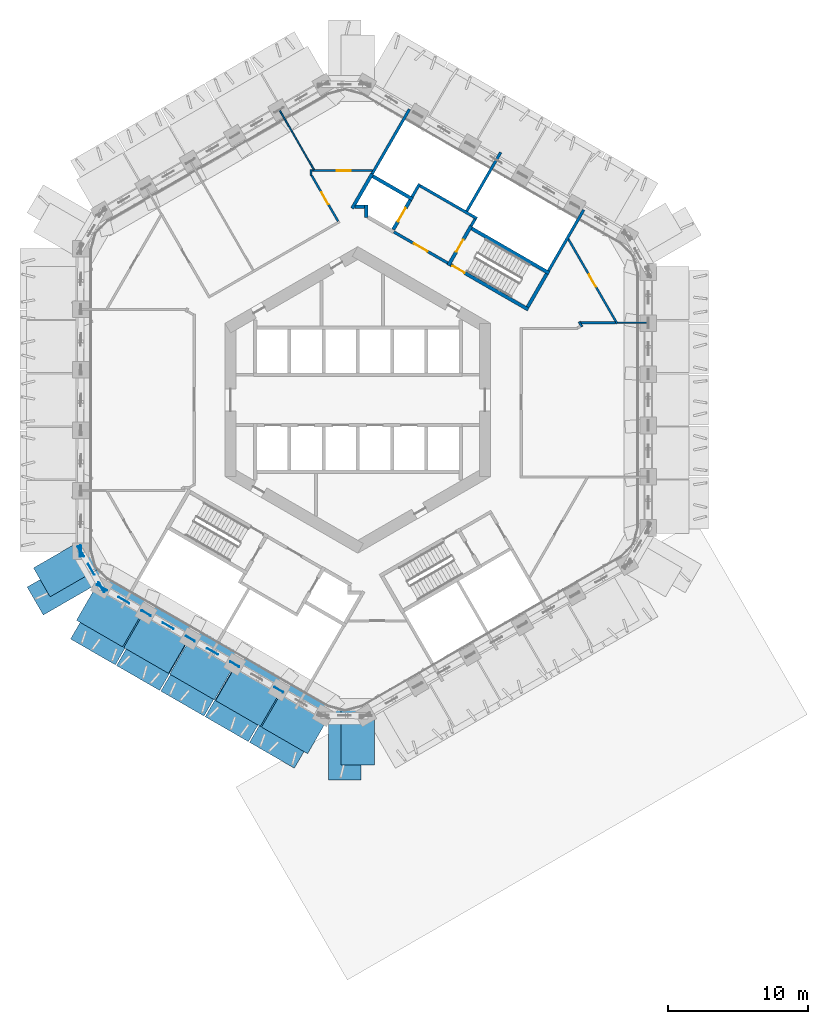
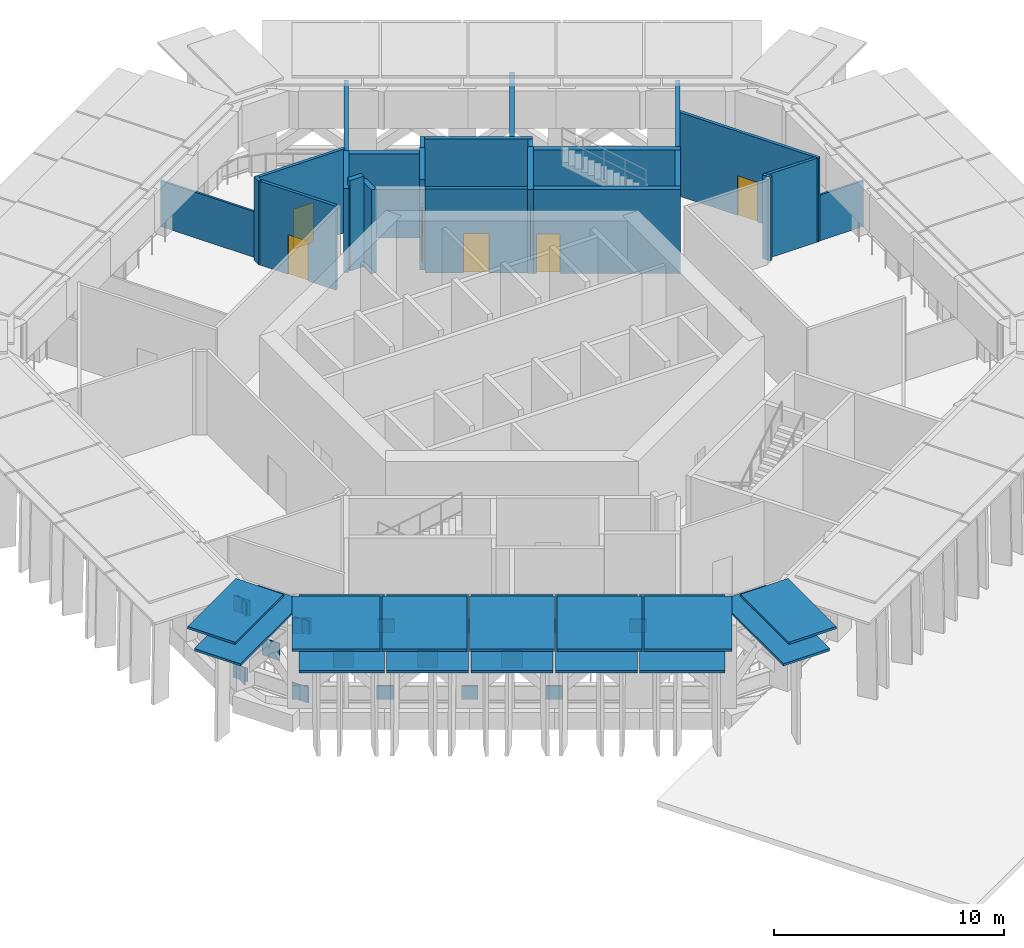
# One storey, part 8 of 16: 33 discrete accessories, 24 walls, 7 doors, 7 openings.
"""IFC4 building model written with IfcOpenShell, lengths in metres."""

from ifc_helpers import new_model, si_unit, direction, frame, frame_2d, origin, origin_2d, place, context, subcontext, project, spatial, rectangle, extrude, material, layer, layer_set, type_object, element, fill, save


model = new_model("IFC4")

# Units and contexts
model_context = context("Model", 3, precision=1e-05, world=origin(), true_north=direction((0.0, 1.0)))
body_context = subcontext(model_context, "Body", "Model", "MODEL_VIEW")
ifc_project = project(units=[si_unit("LENGTHUNIT", "METRE"), si_unit("AREAUNIT", "SQUARE_METRE"), si_unit("VOLUMEUNIT", "CUBIC_METRE"), si_unit("PLANEANGLEUNIT", "RADIAN"), si_unit("MASSUNIT", "GRAM", prefix="KILO")], contexts=[model_context])

# Site, building, storey
site_placement = place(None, origin())
site = spatial("IfcSite", under=ifc_project, at=site_placement, CompositionType="ELEMENT")
building_placement = place(site_placement, origin())
building = spatial("IfcBuilding", under=site, at=building_placement, Name="Ayvan Gate Tower", CompositionType="ELEMENT")
storey_placement = place(building_placement, frame((0.0, 0.0, 78.300048828125)))
storey = spatial("IfcBuildingStorey", under=building, at=storey_placement, Name="L20", CompositionType="ELEMENT", Elevation=78.300048828125)

# Wall
ifc_material_1 = material(Name="Plasterboard on steel stud", Category="steel")
ifc_layer_1 = layer(ifc_material_1, 0.14990234375)
ifc_layer_set_1 = layer_set([ifc_layer_1], Name="Plasterboard on steel stud")
wall_type_1 = type_object("IfcWallType", Name="WT-CORR-150", PredefinedType="PARTITIONING", material=ifc_layer_set_1)
wall_1_placement = place(storey_placement, frame((-3.35009765625, 16.072021484375, 0.0), z_axis=(0.0, 0.0, 1.0), x_axis=(0.0, 1.0, 0.0)))
element("IfcWall", 1, at=wall_1_placement, inside=storey, type_object=wall_type_1, Name="IW-L20-037", PredefinedType="PARTITIONING", context=body_context, shape_type="SweptSolid", body=[
    extrude(rectangle(XDim=0.40771484375, YDim=0.14990234375, at=frame_2d((0.203857421875, 0.0))), origin(), (0.0, 0.0, 1.0), 4.449951171875),
])

# Wall, opening, door
wall_2_placement = place(storey_placement, frame((-3.27490234375, 16.40478515625, 0.0), z_axis=(0.0, 0.0, 1.0), x_axis=(1.0, 0.0, 0.0)))
wall_2 = element("IfcWall", 2, at=wall_2_placement, inside=storey, type_object=wall_type_1, Name="IW-L20-038", PredefinedType="PARTITIONING", context=body_context, shape_type="SweptSolid", body=[
    extrude(rectangle(XDim=4.33251953125, YDim=0.14990234375, at=frame_2d((2.166259765625, 0.0))), origin(), (0.0, 0.0, 1.0), 4.449951171875),
])
opening_1_placement = place(wall_2_placement, frame((1.771240234375, 0.0, 0.0)))
opening_1 = element("IfcOpeningElement", 3, at=opening_1_placement, cuts=wall_2, Name="Opening L20-D21", PredefinedType="OPENING", context=body_context, shape_type="SweptSolid", body=[
    extrude(rectangle(XDim=1.0, YDim=2.10009765625, at=frame_2d((0.5, 1.050048828125))), frame((0.0, 0.0849609375, 0.0), z_axis=(0.0, -1.0, 0.0), x_axis=(1.0, 0.0, 0.0)), (0.0, 0.0, 1.0), 0.169921875),
])
ifc_material_2 = material(Name="Timber door leaf", Category="wood")
door_type_1 = type_object("IfcDoorType", Name="DT-1000", OperationType="NOTDEFINED", PredefinedType="DOOR", material=ifc_material_2)
door_1_placement = place(opening_1_placement, origin())
door_1 = element("IfcDoor", 4, at=door_1_placement, inside=storey, type_object=door_type_1, Name="ID-L20-021", OperationType="SINGLE_SWING_LEFT", OverallHeight=2.10009765625, OverallWidth=1.0, PredefinedType="DOOR", context=body_context, shape_type="SweptSolid", body=[
    extrude(rectangle(XDim=1.0, YDim=2.10009765625, at=frame_2d((0.5, 1.050048828125))), frame((0.0, 0.02490234375, 0.0), z_axis=(0.0, -1.0, 0.0), x_axis=(1.0, 0.0, 0.0)), (0.0, 0.0, 1.0), 0.050048828125),
])
fill(opening_1, door_1)

wall_3_placement = place(storey_placement, frame((-1.408203125, 12.78369140625, 0.0), z_axis=(0.0, 0.0, 1.0), x_axis=(-0.500027655771, 0.866009436129, 0.0)))
wall_3 = element("IfcWall", 5, at=wall_3_placement, inside=storey, type_object=wall_type_1, Name="IW-L20-046", PredefinedType="PARTITIONING", context=body_context, shape_type="SweptSolid", body=[
    extrude(rectangle(XDim=3.808349609375, YDim=0.14990234375, at=frame_2d((1.904296875, 0.0))), origin(), (0.0, 0.0, 1.0), 4.449951171875),
])
opening_2_placement = place(wall_3_placement, frame((1.404296875, 0.0, 0.0)))
opening_2 = element("IfcOpeningElement", 6, at=opening_2_placement, cuts=wall_3, Name="Opening L20-D25", PredefinedType="OPENING", context=body_context, shape_type="SweptSolid", body=[
    extrude(rectangle(XDim=1.0, YDim=2.10009765625, at=frame_2d((0.5, 1.050048828125))), frame((0.0, 0.0849609375, 0.0), z_axis=(0.0, -1.0, 0.0), x_axis=(1.0, 0.0, 0.0)), (0.0, 0.0, 1.0), 0.169921875),
])
door_2_placement = place(opening_2_placement, origin())
door_2 = element("IfcDoor", 7, at=door_2_placement, inside=storey, type_object=door_type_1, Name="ID-L20-025", OperationType="SINGLE_SWING_LEFT", OverallHeight=2.10009765625, OverallWidth=1.0, PredefinedType="DOOR", context=body_context, shape_type="SweptSolid", body=[
    extrude(rectangle(XDim=1.0, YDim=2.10009765625, at=frame_2d((0.5, 1.050048828125))), frame((0.0, 0.02490234375, 0.0), z_axis=(0.0, -1.0, 0.0), x_axis=(1.0, 0.0, 0.0)), (0.0, 0.0, 1.0), 0.050048828125),
])
fill(opening_2, door_2)

wall_4_placement = place(storey_placement, frame((15.063232421875, 11.51708984375, 0.0), z_axis=(0.0, 0.0, 1.0), x_axis=(0.500015411963, -0.866016505501, 0.0)))
wall_4 = element("IfcWall", 8, at=wall_4_placement, inside=storey, type_object=wall_type_1, Name="IW-L20-092", PredefinedType="PARTITIONING", context=body_context, shape_type="SweptSolid", body=[
    extrude(rectangle(XDim=6.997314453125, YDim=0.14990234375, at=frame_2d((3.49853515625, 0.0))), origin(), (0.0, 0.0, 1.0), 4.449951171875),
])
opening_3_placement = place(wall_4_placement, frame((2.94384765625, 0.0, 0.0)))
opening_3 = element("IfcOpeningElement", 9, at=opening_3_placement, cuts=wall_4, Name="Opening L20-D20", PredefinedType="OPENING", context=body_context, shape_type="SweptSolid", body=[
    extrude(rectangle(XDim=1.0, YDim=2.10009765625, at=frame_2d((0.5, 1.050048828125))), frame((0.0, 0.0849609375, 0.0), z_axis=(0.0, -1.0, 0.0), x_axis=(1.0, 0.0, 0.0)), (0.0, 0.0, 1.0), 0.169921875),
])
door_3_placement = place(opening_3_placement, origin())
door_3 = element("IfcDoor", 10, at=door_3_placement, inside=storey, type_object=door_type_1, Name="ID-L20-020", OperationType="SINGLE_SWING_RIGHT", OverallHeight=2.10009765625, OverallWidth=1.0, PredefinedType="DOOR", context=body_context, shape_type="SweptSolid", body=[
    extrude(rectangle(XDim=1.0, YDim=2.10009765625, at=frame_2d((0.5, 1.050048828125))), frame((0.0, 0.02490234375, 0.0), z_axis=(0.0, -1.0, 0.0), x_axis=(1.0, 0.0, 0.0)), (0.0, 0.0, 1.0), 0.050048828125),
])
fill(opening_3, door_3)

# Walls
wall_5_placement = place(storey_placement, frame((15.839599609375, 5.587158203125, 0.0), z_axis=(0.0, 0.0, 1.0), x_axis=(0.499740345343, -0.866175263579, 0.0)))
element("IfcWall", 11, at=wall_5_placement, inside=storey, type_object=wall_type_1, Name="IW-L20-095", PredefinedType="PARTITIONING", context=body_context, shape_type="SweptSolid", body=[
    extrude(rectangle(XDim=0.393798828125, YDim=0.14990234375, at=frame_2d((0.19677734375, 0.0))), origin(), (0.0, 0.0, 1.0), 4.449951171875),
])
wall_6_placement = place(storey_placement, frame((18.449462890625, 5.522216796875, 0.0), z_axis=(0.0, 0.0, 1.0), x_axis=(-1.0, 0.0, 0.0)))
element("IfcWall", 12, at=wall_6_placement, inside=storey, type_object=wall_type_1, Name="IW-L20-100", PredefinedType="PARTITIONING", context=body_context, shape_type="SweptSolid", body=[
    extrude(rectangle(XDim=2.49755859375, YDim=0.14990234375, at=frame_2d((1.248779296875, 0.0))), origin(), (0.0, 0.0, 1.0), 4.449951171875),
])
ifc_layer_2 = layer(ifc_material_1, 0.10009765625)
ifc_layer_set_2 = layer_set([ifc_layer_2], Name="Plasterboard on steel stud")
wall_type_2 = type_object("IfcWallType", Name="WT-PART-100", PredefinedType="PARTITIONING", material=ifc_layer_set_2)
wall_7_placement = place(storey_placement, frame((-3.13232421875, 16.4697265625, 0.0), z_axis=(0.0, 0.0, 1.0), x_axis=(-0.499996833818, 0.866027231772, 0.0)))
element("IfcWall", 13, at=wall_7_placement, inside=storey, type_object=wall_type_2, Name="IW-L20-039", PredefinedType="PARTITIONING", context=body_context, shape_type="SweptSolid", body=[
    extrude(rectangle(XDim=4.955078125, YDim=0.10009765625, at=frame_2d((2.4775390625, 0.0))), origin(), (0.0, 0.0, 1.0), 2.425048828125),
])
wall_8_placement = place(storey_placement, frame((18.599365234375, 5.522216796875, 0.0), z_axis=(0.0, 0.0, 1.0), x_axis=(1.0, 0.0, 0.0)))
element("IfcWall", 14, at=wall_8_placement, inside=storey, type_object=wall_type_2, Name="IW-L20-099", PredefinedType="PARTITIONING", context=body_context, shape_type="SweptSolid", body=[
    extrude(rectangle(XDim=2.185302734375, YDim=0.10009765625, at=frame_2d((1.0927734375, 0.0))), origin(), (0.0, 0.0, 1.0), 2.425048828125),
])
ifc_layer_3 = layer(ifc_material_1, 0.199951171875)
ifc_layer_set_3 = layer_set([ifc_layer_3], Name="Plasterboard on steel stud")
wall_type_3 = type_object("IfcWallType", Name="WT-PLUMB-200", PredefinedType="PLUMBINGWALL", material=ifc_layer_set_3)
wall_9_placement = place(storey_placement, frame((1.027099609375, 16.178955078125, 0.0), z_axis=(0.0, 0.0, 1.0), x_axis=(0.499995631649, 0.866027925839, 0.0)))
element("IfcWall", 15, at=wall_9_placement, inside=storey, type_object=wall_type_3, Name="IW-L20-057", PredefinedType="PLUMBINGWALL", context=body_context, shape_type="SweptSolid", body=[
    extrude(rectangle(XDim=5.337890625, YDim=0.199951171875, at=frame_2d((2.6689453125, 0.0))), origin(), (0.0, 0.0, 1.0), 4.449951171875),
])
wall_10_placement = place(storey_placement, frame((3.885009765625, 14.52880859375, 0.0), z_axis=(0.0, 0.0, 1.0), x_axis=(0.499997628298, 0.866026773083, 0.0)))
element("IfcWall", 16, at=wall_10_placement, inside=storey, type_object=wall_type_3, Name="IW-L20-068", PredefinedType="PLUMBINGWALL", context=body_context, shape_type="SweptSolid", body=[
    extrude(rectangle(XDim=1.0751953125, YDim=0.199951171875, at=frame_2d((0.53759765625, 0.0))), origin(), (0.0, 0.0, 1.0), 4.449951171875),
])
wall_11_placement = place(storey_placement, frame((4.458984375, 15.323486328125, 0.0), z_axis=(0.0, 0.0, 1.0), x_axis=(0.866016039709, -0.500016218704, 0.0)))
element("IfcWall", 17, at=wall_11_placement, inside=storey, type_object=wall_type_3, Name="IW-L20-069", PredefinedType="PLUMBINGWALL", context=body_context, shape_type="SweptSolid", body=[
    extrude(rectangle(XDim=4.699951171875, YDim=0.199951171875, at=frame_2d((2.35009765625, 0.0))), origin(), (0.0, 0.0, 1.0), 4.449951171875),
])
wall_12_placement = place(storey_placement, frame((7.800048828125, 13.510009765625, 0.0), z_axis=(0.0, 0.0, 1.0), x_axis=(0.499992114976, 0.866029956157, 0.0)))
element("IfcWall", 18, at=wall_12_placement, inside=storey, type_object=wall_type_3, Name="IW-L20-081", PredefinedType="PLUMBINGWALL", context=body_context, shape_type="SweptSolid", body=[
    extrude(rectangle(XDim=4.85888671875, YDim=0.199951171875, at=frame_2d((2.429443359375, 0.0))), origin(), (0.0, 0.0, 1.0), 4.449951171875),
])
wall_13_placement = place(storey_placement, frame((8.392822265625, 12.936767578125, 0.0), z_axis=(0.0, 0.0, 1.0), x_axis=(-0.500065409566, -0.86598763626, 0.0)))
element("IfcWall", 19, at=wall_13_placement, inside=storey, type_object=wall_type_3, Name="IW-L20-083", PredefinedType="PLUMBINGWALL", context=body_context, shape_type="SweptSolid", body=[
    extrude(rectangle(XDim=0.5751953125, YDim=0.199951171875, at=frame_2d((0.28759765625, 0.0))), origin(), (0.0, 0.0, 1.0), 4.449951171875),
])
wall_14_placement = place(storey_placement, frame((13.64794921875, 9.23876953125, 0.0), z_axis=(0.0, 0.0, 1.0), x_axis=(0.500006299954, 0.866021766474, 0.0)))
element("IfcWall", 20, at=wall_14_placement, inside=storey, type_object=wall_type_3, Name="IW-L20-093", PredefinedType="PLUMBINGWALL", context=body_context, shape_type="SweptSolid", body=[
    extrude(rectangle(XDim=5.0380859375, YDim=0.199951171875, at=frame_2d((2.51904296875, 0.0))), origin(), (0.0, 0.0, 1.0), 4.449951171875),
])

# Wall, opening, door
ifc_layer_4 = layer(ifc_material_1, 0.199951171875)
ifc_layer_set_4 = layer_set([ifc_layer_4], Name="Plasterboard on steel stud")
wall_type_4 = type_object("IfcWallType", Name="WT-RATED-200", PredefinedType="PARTITIONING", material=ifc_layer_set_4)
wall_15_placement = place(storey_placement, frame((6.4345703125, 9.794921875, 0.0), z_axis=(0.0, 0.0, 1.0), x_axis=(-0.866012907634, 0.500021643343, 0.0)))
wall_15 = element("IfcWall", 21, at=wall_15_placement, inside=storey, type_object=wall_type_4, Name="IW-L20-072", PredefinedType="PARTITIONING", context=body_context, shape_type="SweptSolid", body=[
    extrude(rectangle(XDim=4.449951171875, YDim=0.199951171875, at=frame_2d((2.22509765625, 0.0))), origin(), (0.0, 0.0, 1.0), 4.449951171875),
])
opening_4_placement = place(wall_15_placement, frame((1.675048828125, 0.0, 0.0)))
opening_4 = element("IfcOpeningElement", 22, at=opening_4_placement, cuts=wall_15, Name="Opening L20-D08", PredefinedType="OPENING", context=body_context, shape_type="SweptSolid", body=[
    extrude(rectangle(XDim=1.10009765625, YDim=2.10009765625, at=frame_2d((0.550048828125, 1.050048828125))), frame((0.0, 0.10986328125, 0.0), z_axis=(0.0, -1.0, 0.0), x_axis=(1.0, 0.0, 0.0)), (0.0, 0.0, 1.0), 0.219970703125),
])
door_type_2 = type_object("IfcDoorType", Name="DT-1100", OperationType="NOTDEFINED", PredefinedType="DOOR", material=ifc_material_2)
door_4_placement = place(opening_4_placement, origin())
door_4 = element("IfcDoor", 23, at=door_4_placement, inside=storey, type_object=door_type_2, Name="ID-L20-008", OperationType="SINGLE_SWING_RIGHT", OverallHeight=2.10009765625, OverallWidth=1.10009765625, PredefinedType="DOOR", context=body_context, shape_type="SweptSolid", body=[
    extrude(rectangle(XDim=1.10009765625, YDim=2.10009765625, at=frame_2d((0.550048828125, 1.050048828125))), frame((0.0, 0.02490234375, 0.0), z_axis=(0.0, -1.0, 0.0), x_axis=(1.0, 0.0, 0.0)), (0.0, 0.0, 1.0), 0.050048828125),
])
fill(opening_4, door_4)

# Walls
ifc_material_3 = material(Name="Concrete C50/60", Category="concrete")
ifc_layer_5 = layer(ifc_material_3, 0.25)
ifc_layer_set_5 = layer_set([ifc_layer_5], Name="Concrete C50/60")
wall_type_5 = type_object("IfcWallType", Name="WT-RC-250", PredefinedType="SHEAR", material=ifc_layer_set_5)
wall_16_placement = place(storey_placement, frame((-0.403076171875, 13.70166015625, 0.0), z_axis=(0.0, 0.0, 1.0), x_axis=(0.499976111731, 0.866039195244, 0.0)))
element("IfcWall", 24, at=wall_16_placement, inside=storey, type_object=wall_type_5, Name="IW-L20-052", PredefinedType="SHEAR", context=body_context, shape_type="SweptSolid", body=[
    extrude(rectangle(XDim=2.860595703125, YDim=0.25, at=frame_2d((1.43017578125, 0.0))), origin(), (0.0, 0.0, 1.0), 4.449951171875),
])
wall_17_placement = place(storey_placement, frame((0.60009765625, 13.03857421875, 0.0), z_axis=(0.0, 0.0, 1.0), x_axis=(0.0, 1.0, 0.0)))
element("IfcWall", 25, at=wall_17_placement, inside=storey, type_object=wall_type_5, Name="IW-L20-055", PredefinedType="SHEAR", context=body_context, shape_type="SweptSolid", body=[
    extrude(rectangle(XDim=0.896484375, YDim=0.25, at=frame_2d((0.4482421875, 0.0))), origin(), (0.0, 0.0, 1.0), 4.449951171875),
])
wall_18_placement = place(storey_placement, frame((0.47509765625, 13.81005859375, 0.0), z_axis=(0.0, 0.0, 1.0), x_axis=(-1.0, 0.0, 0.0)))
element("IfcWall", 26, at=wall_18_placement, inside=storey, type_object=wall_type_5, Name="IW-L20-056", PredefinedType="SHEAR", context=body_context, shape_type="SweptSolid", body=[
    extrude(rectangle(XDim=0.690673828125, YDim=0.25, at=frame_2d((0.34521484375, 0.0))), origin(), (0.0, 0.0, 1.0), 4.800048828125),
])
wall_19_placement = place(storey_placement, frame((1.072998046875, 16.00830078125, 0.0), z_axis=(0.0, 0.0, 1.0), x_axis=(0.866040211805, -0.499974350878, 0.0)))
element("IfcWall", 27, at=wall_19_placement, inside=storey, type_object=wall_type_5, Name="IW-L20-058", PredefinedType="SHEAR", context=body_context, shape_type="SweptSolid", body=[
    extrude(rectangle(XDim=3.300048828125, YDim=0.25, at=frame_2d((1.64990234375, 0.0))), origin(), (0.0, 0.0, 1.0), 4.449951171875),
])

# Wall, opening, door
wall_20_placement = place(storey_placement, frame((2.534912109375, 12.19091796875, 0.0), z_axis=(0.0, 0.0, 1.0), x_axis=(0.500061746146, 0.865989751695, 0.0)))
wall_20 = element("IfcWall", 28, at=wall_20_placement, inside=storey, type_object=wall_type_5, Name="IW-L20-064", PredefinedType="SHEAR", context=body_context, shape_type="SweptSolid", body=[
    extrude(rectangle(XDim=2.449951171875, YDim=0.25, at=frame_2d((1.22509765625, 0.0))), origin(), (0.0, 0.0, 1.0), 4.800048828125),
])
opening_5_placement = place(wall_20_placement, frame((0.675048828125, 0.0, 0.0)))
opening_5 = element("IfcOpeningElement", 29, at=opening_5_placement, cuts=wall_20, Name="Opening L20-LD-FF1", PredefinedType="OPENING", context=body_context, shape_type="SweptSolid", body=[
    extrude(rectangle(XDim=1.10009765625, YDim=2.10009765625, at=frame_2d((0.550048828125, 1.050048828125))), frame((0.0, 0.135009765625, 0.0), z_axis=(0.0, -1.0, 0.0), x_axis=(1.0, 0.0, 0.0)), (0.0, 0.0, 1.0), 0.27001953125),
])
ifc_material_4 = material(Name="Stainless steel landing door", Category="steel")
door_type_3 = type_object("IfcDoorType", Name="DT-LANDING-1100", OperationType="SLIDING_TO_LEFT", PredefinedType="DOOR", material=ifc_material_4)
door_5_placement = place(opening_5_placement, origin())
door_5 = element("IfcDoor", 30, at=door_5_placement, inside=storey, type_object=door_type_3, Name="ID-L20-009", OperationType="SLIDING_TO_LEFT", OverallHeight=2.10009765625, OverallWidth=1.10009765625, PredefinedType="DOOR", context=body_context, shape_type="SweptSolid", body=[
    extrude(rectangle(XDim=1.10009765625, YDim=2.10009765625, at=frame_2d((0.550048828125, 1.050048828125))), frame((0.0, 0.02490234375, 0.0), z_axis=(0.0, -1.0, 0.0), x_axis=(1.0, 0.0, 0.0)), (0.0, 0.0, 1.0), 0.050048828125),
])
fill(opening_5, door_5)

wall_21_placement = place(storey_placement, frame((6.480224609375, 9.624267578125, 0.0), z_axis=(0.0, 0.0, 1.0), x_axis=(0.500017246033, 0.866015446554, 0.0)))
wall_21 = element("IfcWall", 31, at=wall_21_placement, inside=storey, type_object=wall_type_5, Name="IW-L20-073", PredefinedType="SHEAR", context=body_context, shape_type="SweptSolid", body=[
    extrude(rectangle(XDim=3.25, YDim=0.25, at=frame_2d((1.625, 0.0))), origin(), (0.0, 0.0, 1.0), 4.449951171875),
])
opening_6_placement = place(wall_21_placement, frame((1.125, 0.0, 0.0)))
opening_6 = element("IfcOpeningElement", 32, at=opening_6_placement, cuts=wall_21, Name="Opening L20-D07", PredefinedType="OPENING", context=body_context, shape_type="SweptSolid", body=[
    extrude(rectangle(XDim=1.0, YDim=2.10009765625, at=frame_2d((0.5, 1.050048828125))), frame((0.0, 0.135009765625, 0.0), z_axis=(0.0, -1.0, 0.0), x_axis=(1.0, 0.0, 0.0)), (0.0, 0.0, 1.0), 0.27001953125),
])
door_6_placement = place(opening_6_placement, origin())
door_6 = element("IfcDoor", 33, at=door_6_placement, inside=storey, type_object=door_type_1, Name="ID-L20-007", OperationType="SINGLE_SWING_LEFT", OverallHeight=2.10009765625, OverallWidth=1.0, PredefinedType="DOOR", context=body_context, shape_type="SweptSolid", body=[
    extrude(rectangle(XDim=1.0, YDim=2.10009765625, at=frame_2d((0.5, 1.050048828125))), frame((0.0, 0.02490234375, 0.0), z_axis=(0.0, -1.0, 0.0), x_axis=(1.0, 0.0, 0.0)), (0.0, 0.0, 1.0), 0.050048828125),
])
fill(opening_6, door_6)

# Wall
wall_22_placement = place(storey_placement, frame((8.151123046875, 12.26806640625, 0.0), z_axis=(0.0, 0.0, 1.0), x_axis=(0.866025499775, -0.499999833739, 0.0)))
element("IfcWall", 34, at=wall_22_placement, inside=storey, type_object=wall_type_5, Name="IW-L20-082", PredefinedType="SHEAR", context=body_context, shape_type="SweptSolid", body=[
    extrude(rectangle(XDim=6.39990234375, YDim=0.25, at=frame_2d((3.199951171875, 0.0))), origin(), (0.0, 0.0, 1.0), 4.449951171875),
])

# Wall, opening, door
wall_23_placement = place(storey_placement, frame((12.193603515625, 6.469970703125, 0.0), z_axis=(0.0, 0.0, 1.0), x_axis=(-0.866025499775, 0.499999833739, 0.0)))
wall_23 = element("IfcWall", 35, at=wall_23_placement, inside=storey, type_object=wall_type_5, Name="IW-L20-090", PredefinedType="SHEAR", context=body_context, shape_type="SweptSolid", body=[
    extrude(rectangle(XDim=6.39990234375, YDim=0.25, at=frame_2d((3.199951171875, 0.0))), origin(), (0.0, 0.0, 1.0), 4.449951171875),
])
opening_7_placement = place(wall_23_placement, frame((5.25, 0.0, 0.0)))
opening_7 = element("IfcOpeningElement", 36, at=opening_7_placement, cuts=wall_23, Name="Opening L20-D06", PredefinedType="OPENING", context=body_context, shape_type="SweptSolid", body=[
    extrude(rectangle(XDim=1.0, YDim=2.10009765625, at=frame_2d((0.5, 1.050048828125))), frame((0.0, 0.135009765625, 0.0), z_axis=(0.0, -1.0, 0.0), x_axis=(1.0, 0.0, 0.0)), (0.0, 0.0, 1.0), 0.27001953125),
])
door_7_placement = place(opening_7_placement, origin())
door_7 = element("IfcDoor", 37, at=door_7_placement, inside=storey, type_object=door_type_1, Name="ID-L20-006", OperationType="SINGLE_SWING_RIGHT", OverallHeight=2.10009765625, OverallWidth=1.0, PredefinedType="DOOR", context=body_context, shape_type="SweptSolid", body=[
    extrude(rectangle(XDim=1.0, YDim=2.10009765625, at=frame_2d((0.5, 1.050048828125))), frame((0.0, 0.02490234375, 0.0), z_axis=(0.0, -1.0, 0.0), x_axis=(1.0, 0.0, 0.0)), (0.0, 0.0, 1.0), 0.050048828125),
])
fill(opening_7, door_7)

# Wall
wall_24_placement = place(storey_placement, frame((13.52294921875, 9.022216796875, 0.0), z_axis=(0.0, 0.0, 1.0), x_axis=(-0.500034990121, -0.866005201286, 0.0)))
element("IfcWall", 38, at=wall_24_placement, inside=storey, type_object=wall_type_5, Name="IW-L20-091", PredefinedType="SHEAR", context=body_context, shape_type="SweptSolid", body=[
    extrude(rectangle(XDim=2.749755859375, YDim=0.25, at=frame_2d((1.375, 0.0))), origin(), (0.0, 0.0, 1.0), 4.449951171875),
])

# Discrete accessories
ifc_material_5 = material(Name="Stainless steel 316", Category="steel")
ifc_layer_6 = layer(ifc_material_5, 0.1201171875)
ifc_layer_set_6 = layer_set([ifc_layer_6], Name="Stainless steel 316")
discrete_accessory_type_1 = type_object("IfcDiscreteAccessoryType", Name="Fin carrier bracket", PredefinedType="BRACKET", material=ifc_layer_set_6)
discrete_accessory_1_placement = place(storey_placement, frame((-20.7939453125, -12.00537109375, 4.679931640625), z_axis=(0.0, 0.0, 1.0), x_axis=(0.5, -0.866025403784, 0.0)))
element("IfcDiscreteAccessory", 39, at=discrete_accessory_1_placement, inside=storey, type_object=discrete_accessory_type_1, Name="Fin carrier 58", PredefinedType="BRACKET", context=body_context, shape_type="SweptSolid", body=[
    extrude(rectangle(XDim=2.386474609375, YDim=4.201171875, at=origin_2d()), origin(), (0.0, 0.0, 1.0), 0.1201171875),
])
discrete_accessory_2_placement = place(storey_placement, frame((-17.47802734375, -14.982666015625, 4.679931640625), z_axis=(0.0, 0.0, 1.0), x_axis=(0.866025403784, -0.5, 0.0)))
element("IfcDiscreteAccessory", 40, at=discrete_accessory_2_placement, inside=storey, type_object=discrete_accessory_type_1, Name="Fin carrier 192", PredefinedType="BRACKET", context=body_context, shape_type="SweptSolid", body=[
    extrude(rectangle(XDim=3.81005859375, YDim=4.007568359375, at=origin_2d()), origin(), (0.0, 0.0, 1.0), 0.1201171875),
])
discrete_accessory_3_placement = place(storey_placement, frame((-14.142578125, -16.908203125, 4.679931640625), z_axis=(0.0, 0.0, 1.0), x_axis=(0.866025403784, -0.5, 0.0)))
element("IfcDiscreteAccessory", 41, at=discrete_accessory_3_placement, inside=storey, type_object=discrete_accessory_type_1, Name="Fin carrier 265", PredefinedType="BRACKET", context=body_context, shape_type="SweptSolid", body=[
    extrude(rectangle(XDim=3.693115234375, YDim=4.007568359375, at=origin_2d()), origin(), (0.0, 0.0, 1.0), 0.1201171875),
])
discrete_accessory_4_placement = place(storey_placement, frame((-10.857421875, -18.804931640625, 4.679931640625), z_axis=(0.0, 0.0, 1.0), x_axis=(0.866025403784, -0.5, 0.0)))
element("IfcDiscreteAccessory", 42, at=discrete_accessory_4_placement, inside=storey, type_object=discrete_accessory_type_1, Name="Fin carrier 327", PredefinedType="BRACKET", context=body_context, shape_type="SweptSolid", body=[
    extrude(rectangle(XDim=3.694091796875, YDim=4.007568359375, at=origin_2d()), origin(), (0.0, 0.0, 1.0), 0.1201171875),
])
discrete_accessory_5_placement = place(storey_placement, frame((-7.572021484375, -20.701904296875, 4.679931640625), z_axis=(0.0, 0.0, 1.0), x_axis=(0.866025403784, -0.5, 0.0)))
element("IfcDiscreteAccessory", 43, at=discrete_accessory_5_placement, inside=storey, type_object=discrete_accessory_type_1, Name="Fin carrier 388", PredefinedType="BRACKET", context=body_context, shape_type="SweptSolid", body=[
    extrude(rectangle(XDim=3.693115234375, YDim=4.007568359375, at=origin_2d()), origin(), (0.0, 0.0, 1.0), 0.1201171875),
])
discrete_accessory_6_placement = place(storey_placement, frame((-4.236328125, -22.627685546875, 4.679931640625), z_axis=(0.0, 0.0, 1.0), x_axis=(0.866025403784, -0.5, 0.0)))
element("IfcDiscreteAccessory", 44, at=discrete_accessory_6_placement, inside=storey, type_object=discrete_accessory_type_1, Name="Fin carrier 465", PredefinedType="BRACKET", context=body_context, shape_type="SweptSolid", body=[
    extrude(rectangle(XDim=3.810546875, YDim=4.007568359375, at=origin_2d()), origin(), (0.0, 0.0, 1.0), 0.1201171875),
])
discrete_accessory_7_placement = place(storey_placement, frame((0.0, -24.0107421875, 4.679931640625), z_axis=(0.0, 0.0, 1.0), x_axis=(1.0, 0.0, 0.0)))
element("IfcDiscreteAccessory", 45, at=discrete_accessory_7_placement, inside=storey, type_object=discrete_accessory_type_1, Name="Fin carrier 527", PredefinedType="BRACKET", context=body_context, shape_type="SweptSolid", body=[
    extrude(rectangle(XDim=2.386474609375, YDim=4.201171875, at=origin_2d()), origin(), (0.0, 0.0, 1.0), 0.1201171875),
])
discrete_accessory_8_placement = place(storey_placement, frame((-20.681396484375, -13.004638671875, 4.5), z_axis=(0.0, 0.0, 1.0), x_axis=(0.5, -0.866025403784, 0.0)))
element("IfcDiscreteAccessory", 46, at=discrete_accessory_8_placement, inside=storey, type_object=discrete_accessory_type_1, Name="Fin carrier 1034", PredefinedType="BRACKET", context=body_context, shape_type="SweptSolid", body=[
    extrude(rectangle(XDim=2.314453125, YDim=5.5478515625, at=origin_2d()), origin(), (0.0, 0.0, 1.0), 0.1201171875),
])
discrete_accessory_9_placement = place(storey_placement, frame((-17.511474609375, -15.5400390625, 4.5), z_axis=(0.0, 0.0, 1.0), x_axis=(0.866025403784, -0.5, 0.0)))
element("IfcDiscreteAccessory", 47, at=discrete_accessory_9_placement, inside=storey, type_object=discrete_accessory_type_1, Name="Fin carrier 1048", PredefinedType="BRACKET", context=body_context, shape_type="SweptSolid", body=[
    extrude(rectangle(XDim=3.700927734375, YDim=5.756591796875, at=origin_2d()), origin(), (0.0, 0.0, 1.0), 0.1201171875),
])
discrete_accessory_10_placement = place(storey_placement, frame((-14.279541015625, -17.406005859375, 4.5), z_axis=(0.0, 0.0, 1.0), x_axis=(0.866025403784, -0.5, 0.0)))
element("IfcDiscreteAccessory", 48, at=discrete_accessory_10_placement, inside=storey, type_object=discrete_accessory_type_1, Name="Fin carrier 1056", PredefinedType="BRACKET", context=body_context, shape_type="SweptSolid", body=[
    extrude(rectangle(XDim=3.56298828125, YDim=5.756591796875, at=origin_2d()), origin(), (0.0, 0.0, 1.0), 0.1201171875),
])
discrete_accessory_11_placement = place(storey_placement, frame((-11.10693359375, -19.23779296875, 4.5), z_axis=(0.0, 0.0, 1.0), x_axis=(0.866025403784, -0.5, 0.0)))
element("IfcDiscreteAccessory", 49, at=discrete_accessory_11_placement, inside=storey, type_object=discrete_accessory_type_1, Name="Fin carrier 1062", PredefinedType="BRACKET", context=body_context, shape_type="SweptSolid", body=[
    extrude(rectangle(XDim=3.56396484375, YDim=5.756591796875, at=origin_2d()), origin(), (0.0, 0.0, 1.0), 0.1201171875),
])
discrete_accessory_12_placement = place(storey_placement, frame((-7.93408203125, -21.069580078125, 4.5), z_axis=(0.0, 0.0, 1.0), x_axis=(0.866025403784, -0.5, 0.0)))
element("IfcDiscreteAccessory", 50, at=discrete_accessory_12_placement, inside=storey, type_object=discrete_accessory_type_1, Name="Fin carrier 1068", PredefinedType="BRACKET", context=body_context, shape_type="SweptSolid", body=[
    extrude(rectangle(XDim=3.56298828125, YDim=5.756591796875, at=origin_2d()), origin(), (0.0, 0.0, 1.0), 0.1201171875),
])
discrete_accessory_13_placement = place(storey_placement, frame((-4.7021484375, -22.935546875, 4.5), z_axis=(0.0, 0.0, 1.0), x_axis=(0.866025403784, -0.5, 0.0)))
element("IfcDiscreteAccessory", 51, at=discrete_accessory_13_placement, inside=storey, type_object=discrete_accessory_type_1, Name="Fin carrier 1074", PredefinedType="BRACKET", context=body_context, shape_type="SweptSolid", body=[
    extrude(rectangle(XDim=3.70068359375, YDim=5.756591796875, at=origin_2d()), origin(), (0.0, 0.0, 1.0), 0.1201171875),
])
discrete_accessory_14_placement = place(storey_placement, frame((-0.921630859375, -24.412841796875, 4.5), z_axis=(0.0, 0.0, 1.0), x_axis=(1.0, 0.0, 0.0)))
element("IfcDiscreteAccessory", 52, at=discrete_accessory_14_placement, inside=storey, type_object=discrete_accessory_type_1, Name="Fin carrier 1080", PredefinedType="BRACKET", context=body_context, shape_type="SweptSolid", body=[
    extrude(rectangle(XDim=2.314453125, YDim=5.5478515625, at=origin_2d()), origin(), (0.0, 0.0, 1.0), 0.1201171875),
])
ifc_material_6 = material(Name="Steel S460ML", Category="steel")
ifc_layer_7 = layer(ifc_material_6, 0.044921875)
ifc_layer_set_7 = layer_set([ifc_layer_7], Name="Steel S460ML")
discrete_accessory_type_2 = type_object("IfcDiscreteAccessoryType", Name="Gusset plate 45 mm", PredefinedType="BRACKET", material=ifc_layer_set_7)
for number, where, z_axis, x_axis, name in (
    (53, (-19.793212890625, -10.84033203125, 3.64013671875), (0.0, 0.0, 1.0), (-0.014218718268, 0.999898908916, 0.0), "Gusset plate BT1-DA-23"),
    (54, (-19.85498046875, -10.8046875, 0.08984375), (0.0, 0.0, 1.0), (-0.510083623173, 0.860124814995, 0.0), "Gusset plate BT1-DA-24"),
    (55, (-18.293212890625, -13.4384765625, 3.64013671875), (0.0, 0.0, 1.0), (-0.510083623173, 0.860124814995, 0.0), "Gusset plate BT1-DA-24"),
    (56, (-18.35498046875, -13.402587890625, 0.08984375), (0.0, 0.0, 1.0), (-0.866025403784, 0.5, 0.0), "Gusset plate BT1-DA-25"),
    (57, (-15.1328125, -15.26318359375, 3.64013671875), (0.0, 0.0, 1.0), (-0.866025403784, 0.5, 0.0), "Gusset plate BT1-DA-25"),
    (58, (-11.972412109375, -17.087646484375, 3.64013671875), (0.0, 0.0, 1.0), (-0.866025403784, 0.5, 0.0), "Gusset plate BT1-DA-26"),
    (59, (-8.81201171875, -18.912353515625, 3.64013671875), (0.0, 0.0, 1.0), (-0.866025403784, 0.5, 0.0), "Gusset plate BT1-DA-27"),
    (60, (-5.65185546875, -20.73681640625, 3.64013671875), (0.0, 0.0, 1.0), (-0.866025403784, 0.5, 0.0), "Gusset plate BT1-DA-28"),
):
    element("IfcDiscreteAccessory", number, at=place(storey_placement, frame(where, z_axis=z_axis, x_axis=x_axis)), inside=storey, type_object=discrete_accessory_type_2, Name=name, PredefinedType="BRACKET", context=body_context, shape_type="SweptSolid", body=[
        extrude(rectangle(XDim=0.719970703125, YDim=0.044921875, at=origin_2d()), origin(), (0.0, 0.0, 1.0), 0.719970703125),
    ])
for number, where, z_axis, x_axis, name in (
    (61, (-19.85498046875, -10.8046875, 0.0361328125), (0.0, 0.0, 1.0), (0.014407194518, 0.999896210987, 0.0), "Gusset plate BT1-DB-23"),
    (62, (-18.35498046875, -13.402587890625, 0.0361328125), (0.0, 0.0, 1.0), (-0.489418980472, 0.872048772463, 0.0), "Gusset plate BT1-DB-24"),
):
    element("IfcDiscreteAccessory", number, at=place(storey_placement, frame(where, z_axis=z_axis, x_axis=x_axis)), inside=storey, type_object=discrete_accessory_type_2, Name=name, PredefinedType="BRACKET", context=body_context, shape_type="SweptSolid", body=[
        extrude(rectangle(XDim=0.827880859375, YDim=0.044921875, at=origin_2d()), origin(), (0.0, 0.0, 1.0), 0.827880859375),
    ])
discrete_accessory_15_placement = place(storey_placement, frame((-19.07421875, -12.12158203125, 1.76611328125), z_axis=(0.0, 0.0, 1.0), x_axis=(-0.489418980472, 0.872048772463, 0.0)))
element("IfcDiscreteAccessory", 63, at=discrete_accessory_15_placement, inside=storey, type_object=discrete_accessory_type_2, Name="Gusset plate BT1-DB-24", PredefinedType="BRACKET", context=body_context, shape_type="SweptSolid", body=[
    extrude(rectangle(XDim=0.883544921875, YDim=0.044921875, at=origin_2d()), origin(), (0.0, 0.0, 1.0), 0.91748046875),
])
discrete_accessory_16_placement = place(storey_placement, frame((-15.169921875, -15.24169921875, 0.08984375), z_axis=(0.0, 0.0, 1.0), x_axis=(-0.866025403784, 0.5, 0.0)))
element("IfcDiscreteAccessory", 64, at=discrete_accessory_16_placement, inside=storey, type_object=discrete_accessory_type_2, Name="Gusset plate BT1-DB-25", PredefinedType="BRACKET", context=body_context, shape_type="SweptSolid", body=[
    extrude(rectangle(XDim=0.719970703125, YDim=0.044921875, at=origin_2d()), origin(), (0.0, 0.0, 1.0), 0.719970703125),
])
discrete_accessory_17_placement = place(storey_placement, frame((-16.73779296875, -14.33642578125, 1.7841796875), z_axis=(0.0, 0.0, 1.0), x_axis=(-0.866025403784, 0.5, 0.0)))
element("IfcDiscreteAccessory", 65, at=discrete_accessory_17_placement, inside=storey, type_object=discrete_accessory_type_2, Name="Gusset plate BT1-DB-25", PredefinedType="BRACKET", context=body_context, shape_type="SweptSolid", body=[
    extrude(rectangle(XDim=0.898193359375, YDim=0.044921875, at=origin_2d()), origin(), (0.0, 0.0, 1.0), 0.8955078125),
])
discrete_accessory_18_placement = place(storey_placement, frame((-11.98486328125, -17.08056640625, 0.08984375), z_axis=(0.0, 0.0, 1.0), x_axis=(-0.866025403784, 0.5, 0.0)))
element("IfcDiscreteAccessory", 66, at=discrete_accessory_18_placement, inside=storey, type_object=discrete_accessory_type_2, Name="Gusset plate BT1-DB-26", PredefinedType="BRACKET", context=body_context, shape_type="SweptSolid", body=[
    extrude(rectangle(XDim=0.719970703125, YDim=0.044921875, at=origin_2d()), origin(), (0.0, 0.0, 1.0), 0.719970703125),
])
discrete_accessory_19_placement = place(storey_placement, frame((-13.56494140625, -16.168212890625, 1.78466796875), z_axis=(0.0, 0.0, 1.0), x_axis=(-0.866025403784, 0.5, 0.0)))
element("IfcDiscreteAccessory", 67, at=discrete_accessory_19_placement, inside=storey, type_object=discrete_accessory_type_2, Name="Gusset plate BT1-DB-26", PredefinedType="BRACKET", context=body_context, shape_type="SweptSolid", body=[
    extrude(rectangle(XDim=0.89892578125, YDim=0.044921875, at=origin_2d()), origin(), (0.0, 0.0, 1.0), 0.894775390625),
])
discrete_accessory_20_placement = place(storey_placement, frame((-8.7998046875, -18.91943359375, 0.08984375), z_axis=(0.0, 0.0, 1.0), x_axis=(-0.866025403784, 0.5, 0.0)))
element("IfcDiscreteAccessory", 68, at=discrete_accessory_20_placement, inside=storey, type_object=discrete_accessory_type_2, Name="Gusset plate BT1-DB-27", PredefinedType="BRACKET", context=body_context, shape_type="SweptSolid", body=[
    extrude(rectangle(XDim=0.719970703125, YDim=0.044921875, at=origin_2d()), origin(), (0.0, 0.0, 1.0), 0.719970703125),
])
discrete_accessory_21_placement = place(storey_placement, frame((-10.392333984375, -18.0, 1.784912109375), z_axis=(0.0, 0.0, 1.0), x_axis=(-0.866025403784, 0.5, 0.0)))
element("IfcDiscreteAccessory", 69, at=discrete_accessory_21_placement, inside=storey, type_object=discrete_accessory_type_2, Name="Gusset plate BT1-DB-27", PredefinedType="BRACKET", context=body_context, shape_type="SweptSolid", body=[
    extrude(rectangle(XDim=0.899658203125, YDim=0.044921875, at=origin_2d()), origin(), (0.0, 0.0, 1.0), 0.89404296875),
])
for number, where, z_axis, x_axis, name in (
    (70, (-19.793212890625, -10.84033203125, 3.5859375), (0.0, 0.0, 1.0), (-0.489418980472, 0.872048772463, 0.0), "Gusset plate BT1-DC-24"),
    (71, (-18.293212890625, -13.4384765625, 3.5859375), (0.0, 0.0, 1.0), (-0.866025403784, 0.5, 0.0), "Gusset plate BT1-DC-25"),
):
    element("IfcDiscreteAccessory", number, at=place(storey_placement, frame(where, z_axis=z_axis, x_axis=x_axis)), inside=storey, type_object=discrete_accessory_type_2, Name=name, PredefinedType="BRACKET", context=body_context, shape_type="SweptSolid", body=[
        extrude(rectangle(XDim=0.827880859375, YDim=0.044921875, at=origin_2d()), origin(), (0.0, 0.0, 1.0), 0.827880859375),
    ])

save(model, "model.ifc")
